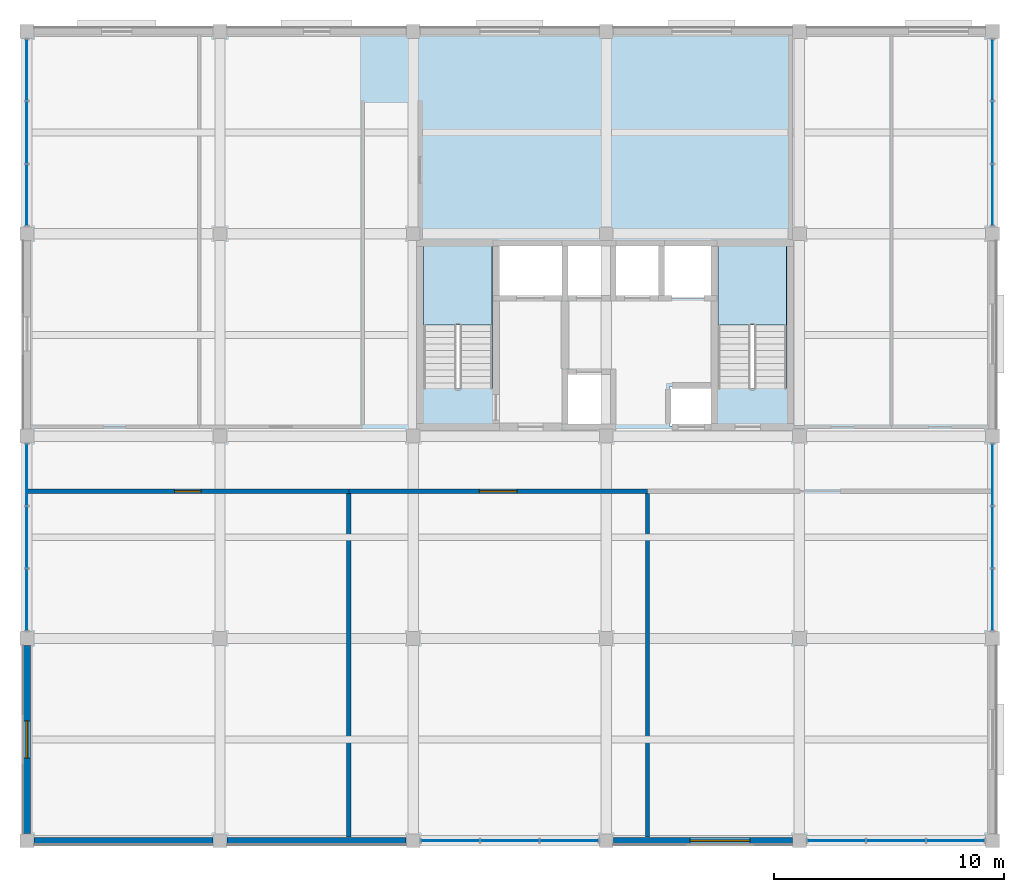
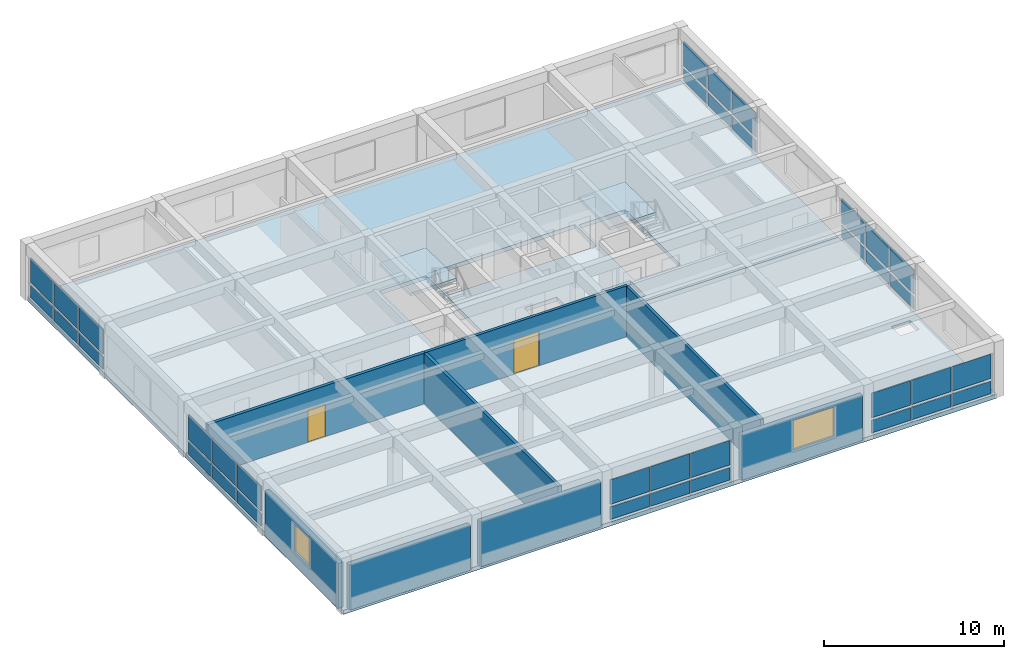
# One storey, part 7 of 14: 36 plates, 8 walls, 4 slabs, 2 doors, 2 windows, 4 openings, 8 elements without a shape of their own.
"""IFC4 building model written with IfcOpenShell, lengths in metres."""

from ifc_helpers import new_model, si_unit, direction, frame, frame_2d, origin, origin_2d, place, context, subcontext, project, spatial, polyline, rectangle, outline, extrude, material, layer, layer_set, type_object, element, fill, aggregate, save


model = new_model("IFC4")

# Units and contexts
model_context = context("Model", 3, precision=1e-05, world=origin(), true_north=direction((0.0, 1.0)))
body_context = subcontext(model_context, "Body", "Model", "MODEL_VIEW")
ifc_project = project(units=[si_unit("LENGTHUNIT", "METRE"), si_unit("AREAUNIT", "SQUARE_METRE"), si_unit("VOLUMEUNIT", "CUBIC_METRE"), si_unit("PLANEANGLEUNIT", "RADIAN"), si_unit("MASSUNIT", "GRAM", prefix="KILO")], contexts=[model_context])

# Site, building, storey
site_placement = place(None, origin())
site = spatial("IfcSite", under=ifc_project, at=site_placement, CompositionType="ELEMENT")
building_placement = place(site_placement, origin())
building = spatial("IfcBuilding", under=site, at=building_placement, Name="Kemercrest Conservatory and Botanical Centre", CompositionType="ELEMENT")
storey_placement = place(building_placement, frame((0.0, 0.0, 44.39990234375)))
storey = spatial("IfcBuildingStorey", under=building, at=storey_placement, Name="L11", CompositionType="ELEMENT", Elevation=44.39990234375)

# Curtain wall, plates
ifc_material_1 = material(Name="Thermally broken aluminium and triple low-e glazing", Category="aluminium")
curtain_wall_type_1 = type_object("IfcCurtainWallType", Name="CW-03", PredefinedType="USERDEFINED", material=ifc_material_1)
curtain_wall_1_placement = place(storey_placement, origin())
curtain_wall_1 = element("IfcCurtainWall", 1, at=curtain_wall_1_placement, inside=storey, type_object=curtain_wall_type_1, Name="Unitised curtain wall CW-03 (CW:L11:V4-122)", ObjectType="UNITISED CURTAIN WALL", PredefinedType="USERDEFINED")
ifc_material_2 = material(Name="Triple low-e argon insulated glazing unit", Category="glass")
ifc_layer_1 = layer(ifc_material_2, 0.035888671875)
ifc_layer_set_1 = layer_set([ifc_layer_1], Name="Triple low-e argon insulated glazing unit")
plate_type = type_object("IfcPlateType", Name="CW-PNL036", PredefinedType="CURTAIN_PANEL", material=ifc_layer_set_1)
plate_1_placement = place(storey_placement, frame((152.412841796875, 87.199951171875, 0.179931640625), z_axis=(0.0, 0.0, 1.0), x_axis=(1.0, 0.0, 0.0)))
plate_1 = element("IfcPlate", 2, at=plate_1_placement, type_object=plate_type, Name="CW-03 panel 1.1", PredefinedType="CURTAIN_PANEL", context=body_context, shape_type="SweptSolid", body=[
    extrude(rectangle(XDim=2.505859375, YDim=0.035888671875, at=origin_2d()), origin(), (0.0, 0.0, 1.0), 0.85009765625),
])
plate_2_placement = place(storey_placement, frame((152.412841796875, 87.199951171875, 1.2099609375), z_axis=(0.0, 0.0, 1.0), x_axis=(1.0, 0.0, 0.0)))
plate_2 = element("IfcPlate", 3, at=plate_2_placement, type_object=plate_type, Name="CW-03 panel 1.2", PredefinedType="CURTAIN_PANEL", context=body_context, shape_type="SweptSolid", body=[
    extrude(rectangle(XDim=2.505859375, YDim=0.035888671875, at=origin_2d()), origin(), (0.0, 0.0, 1.0), 1.6650390625),
])
plate_3_placement = place(storey_placement, frame((155.0, 87.199951171875, 0.179931640625), z_axis=(0.0, 0.0, 1.0), x_axis=(1.0, 0.0, 0.0)))
plate_3 = element("IfcPlate", 4, at=plate_3_placement, type_object=plate_type, Name="CW-03 panel 2.1", PredefinedType="CURTAIN_PANEL", context=body_context, shape_type="SweptSolid", body=[
    extrude(rectangle(XDim=2.538330078125, YDim=0.035888671875, at=origin_2d()), origin(), (0.0, 0.0, 1.0), 0.85009765625),
])
plate_4_placement = place(storey_placement, frame((155.0, 87.199951171875, 1.2099609375), z_axis=(0.0, 0.0, 1.0), x_axis=(1.0, 0.0, 0.0)))
plate_4 = element("IfcPlate", 5, at=plate_4_placement, type_object=plate_type, Name="CW-03 panel 2.2", PredefinedType="CURTAIN_PANEL", context=body_context, shape_type="SweptSolid", body=[
    extrude(rectangle(XDim=2.538330078125, YDim=0.035888671875, at=origin_2d()), origin(), (0.0, 0.0, 1.0), 1.6650390625),
])
plate_5_placement = place(storey_placement, frame((157.587158203125, 87.199951171875, 0.179931640625), z_axis=(0.0, 0.0, 1.0), x_axis=(1.0, 0.0, 0.0)))
plate_5 = element("IfcPlate", 6, at=plate_5_placement, type_object=plate_type, Name="CW-03 panel 3.1", PredefinedType="CURTAIN_PANEL", context=body_context, shape_type="SweptSolid", body=[
    extrude(rectangle(XDim=2.505859375, YDim=0.035888671875, at=origin_2d()), origin(), (0.0, 0.0, 1.0), 0.85009765625),
])
plate_6_placement = place(storey_placement, frame((157.587158203125, 87.199951171875, 1.2099609375), z_axis=(0.0, 0.0, 1.0), x_axis=(1.0, 0.0, 0.0)))
plate_6 = element("IfcPlate", 7, at=plate_6_placement, type_object=plate_type, Name="CW-03 panel 3.2", PredefinedType="CURTAIN_PANEL", context=body_context, shape_type="SweptSolid", body=[
    extrude(rectangle(XDim=2.505859375, YDim=0.035888671875, at=origin_2d()), origin(), (0.0, 0.0, 1.0), 1.6650390625),
])
aggregate(curtain_wall_1, [plate_1, plate_2, plate_3, plate_4, plate_5, plate_6])

curtain_wall_type_2 = type_object("IfcCurtainWallType", Name="CW-04", PredefinedType="USERDEFINED", material=ifc_material_1)
curtain_wall_2_placement = place(storey_placement, origin())
curtain_wall_2 = element("IfcCurtainWall", 8, at=curtain_wall_2_placement, inside=storey, type_object=curtain_wall_type_2, Name="Unitised curtain wall CW-04 (CW:L11:V4-123)", ObjectType="UNITISED CURTAIN WALL", PredefinedType="USERDEFINED")
plate_7_placement = place(storey_placement, frame((169.212890625, 87.199951171875, 0.179931640625), z_axis=(0.0, 0.0, 1.0), x_axis=(1.0, 0.0, 0.0)))
plate_7 = element("IfcPlate", 9, at=plate_7_placement, type_object=plate_type, Name="CW-04 panel 1.1", PredefinedType="CURTAIN_PANEL", context=body_context, shape_type="SweptSolid", body=[
    extrude(rectangle(XDim=2.505859375, YDim=0.035888671875, at=origin_2d()), origin(), (0.0, 0.0, 1.0), 0.85009765625),
])
plate_8_placement = place(storey_placement, frame((169.212890625, 87.199951171875, 1.2099609375), z_axis=(0.0, 0.0, 1.0), x_axis=(1.0, 0.0, 0.0)))
plate_8 = element("IfcPlate", 10, at=plate_8_placement, type_object=plate_type, Name="CW-04 panel 1.2", PredefinedType="CURTAIN_PANEL", context=body_context, shape_type="SweptSolid", body=[
    extrude(rectangle(XDim=2.505859375, YDim=0.035888671875, at=origin_2d()), origin(), (0.0, 0.0, 1.0), 1.6650390625),
])
plate_9_placement = place(storey_placement, frame((171.800048828125, 87.199951171875, 0.179931640625), z_axis=(0.0, 0.0, 1.0), x_axis=(1.0, 0.0, 0.0)))
plate_9 = element("IfcPlate", 11, at=plate_9_placement, type_object=plate_type, Name="CW-04 panel 2.1", PredefinedType="CURTAIN_PANEL", context=body_context, shape_type="SweptSolid", body=[
    extrude(rectangle(XDim=2.538330078125, YDim=0.035888671875, at=origin_2d()), origin(), (0.0, 0.0, 1.0), 0.85009765625),
])
plate_10_placement = place(storey_placement, frame((171.800048828125, 87.199951171875, 1.2099609375), z_axis=(0.0, 0.0, 1.0), x_axis=(1.0, 0.0, 0.0)))
plate_10 = element("IfcPlate", 12, at=plate_10_placement, type_object=plate_type, Name="CW-04 panel 2.2", PredefinedType="CURTAIN_PANEL", context=body_context, shape_type="SweptSolid", body=[
    extrude(rectangle(XDim=2.538330078125, YDim=0.035888671875, at=origin_2d()), origin(), (0.0, 0.0, 1.0), 1.6650390625),
])
plate_11_placement = place(storey_placement, frame((174.386962890625, 87.199951171875, 0.179931640625), z_axis=(0.0, 0.0, 1.0), x_axis=(1.0, 0.0, 0.0)))
plate_11 = element("IfcPlate", 13, at=plate_11_placement, type_object=plate_type, Name="CW-04 panel 3.1", PredefinedType="CURTAIN_PANEL", context=body_context, shape_type="SweptSolid", body=[
    extrude(rectangle(XDim=2.505859375, YDim=0.035888671875, at=origin_2d()), origin(), (0.0, 0.0, 1.0), 0.85009765625),
])
plate_12_placement = place(storey_placement, frame((174.386962890625, 87.199951171875, 1.2099609375), z_axis=(0.0, 0.0, 1.0), x_axis=(1.0, 0.0, 0.0)))
plate_12 = element("IfcPlate", 14, at=plate_12_placement, type_object=plate_type, Name="CW-04 panel 3.2", PredefinedType="CURTAIN_PANEL", context=body_context, shape_type="SweptSolid", body=[
    extrude(rectangle(XDim=2.505859375, YDim=0.035888671875, at=origin_2d()), origin(), (0.0, 0.0, 1.0), 1.6650390625),
])
aggregate(curtain_wall_2, [plate_7, plate_8, plate_9, plate_10, plate_11, plate_12])

curtain_wall_type_3 = type_object("IfcCurtainWallType", Name="CW-05", PredefinedType="USERDEFINED", material=ifc_material_1)
curtain_wall_3_placement = place(storey_placement, origin())
curtain_wall_3 = element("IfcCurtainWall", 15, at=curtain_wall_3_placement, inside=storey, type_object=curtain_wall_type_3, Name="Unitised curtain wall CW-05 (CW:L11:V4-124)", ObjectType="UNITISED CURTAIN WALL", PredefinedType="USERDEFINED")
plate_13_placement = place(storey_placement, frame((176.0, 97.6796875, 0.179931640625), z_axis=(0.0, 0.0, 1.0), x_axis=(0.0, 1.0, 0.0)))
plate_13 = element("IfcPlate", 16, at=plate_13_placement, type_object=plate_type, Name="CW-05 panel 1.1", PredefinedType="CURTAIN_PANEL", context=body_context, shape_type="SweptSolid", body=[
    extrude(rectangle(XDim=2.63916015625, YDim=0.035888671875, at=origin_2d()), origin(), (0.0, 0.0, 1.0), 0.85009765625),
])
plate_14_placement = place(storey_placement, frame((176.0, 97.6796875, 1.2099609375), z_axis=(0.0, 0.0, 1.0), x_axis=(0.0, 1.0, 0.0)))
plate_14 = element("IfcPlate", 17, at=plate_14_placement, type_object=plate_type, Name="CW-05 panel 1.2", PredefinedType="CURTAIN_PANEL", context=body_context, shape_type="SweptSolid", body=[
    extrude(rectangle(XDim=2.63916015625, YDim=0.035888671875, at=origin_2d()), origin(), (0.0, 0.0, 1.0), 1.6650390625),
])
plate_15_placement = place(storey_placement, frame((176.0, 100.39990234375, 0.179931640625), z_axis=(0.0, 0.0, 1.0), x_axis=(0.0, 1.0, 0.0)))
plate_15 = element("IfcPlate", 18, at=plate_15_placement, type_object=plate_type, Name="CW-05 panel 2.1", PredefinedType="CURTAIN_PANEL", context=body_context, shape_type="SweptSolid", body=[
    extrude(rectangle(XDim=2.671630859375, YDim=0.035888671875, at=origin_2d()), origin(), (0.0, 0.0, 1.0), 0.85009765625),
])
plate_16_placement = place(storey_placement, frame((176.0, 100.39990234375, 1.2099609375), z_axis=(0.0, 0.0, 1.0), x_axis=(0.0, 1.0, 0.0)))
plate_16 = element("IfcPlate", 19, at=plate_16_placement, type_object=plate_type, Name="CW-05 panel 2.2", PredefinedType="CURTAIN_PANEL", context=body_context, shape_type="SweptSolid", body=[
    extrude(rectangle(XDim=2.671630859375, YDim=0.035888671875, at=origin_2d()), origin(), (0.0, 0.0, 1.0), 1.6650390625),
])
plate_17_placement = place(storey_placement, frame((176.0, 103.120361328125, 0.179931640625), z_axis=(0.0, 0.0, 1.0), x_axis=(0.0, 1.0, 0.0)))
plate_17 = element("IfcPlate", 20, at=plate_17_placement, type_object=plate_type, Name="CW-05 panel 3.1", PredefinedType="CURTAIN_PANEL", context=body_context, shape_type="SweptSolid", body=[
    extrude(rectangle(XDim=2.63916015625, YDim=0.035888671875, at=origin_2d()), origin(), (0.0, 0.0, 1.0), 0.85009765625),
])
plate_18_placement = place(storey_placement, frame((176.0, 103.120361328125, 1.2099609375), z_axis=(0.0, 0.0, 1.0), x_axis=(0.0, 1.0, 0.0)))
plate_18 = element("IfcPlate", 21, at=plate_18_placement, type_object=plate_type, Name="CW-05 panel 3.2", PredefinedType="CURTAIN_PANEL", context=body_context, shape_type="SweptSolid", body=[
    extrude(rectangle(XDim=2.63916015625, YDim=0.035888671875, at=origin_2d()), origin(), (0.0, 0.0, 1.0), 1.6650390625),
])
aggregate(curtain_wall_3, [plate_13, plate_14, plate_15, plate_16, plate_17, plate_18])

curtain_wall_type_4 = type_object("IfcCurtainWallType", Name="CW-06", PredefinedType="USERDEFINED", material=ifc_material_1)
curtain_wall_4_placement = place(storey_placement, origin())
curtain_wall_4 = element("IfcCurtainWall", 22, at=curtain_wall_4_placement, inside=storey, type_object=curtain_wall_type_4, Name="Unitised curtain wall CW-06 (CW:L11:V4-125)", ObjectType="UNITISED CURTAIN WALL", PredefinedType="USERDEFINED")
plate_19_placement = place(storey_placement, frame((176.0, 115.279541015625, 0.179931640625), z_axis=(0.0, 0.0, 1.0), x_axis=(0.0, 1.0, 0.0)))
plate_19 = element("IfcPlate", 23, at=plate_19_placement, type_object=plate_type, Name="CW-06 panel 1.1", PredefinedType="CURTAIN_PANEL", context=body_context, shape_type="SweptSolid", body=[
    extrude(rectangle(XDim=2.63916015625, YDim=0.035888671875, at=origin_2d()), origin(), (0.0, 0.0, 1.0), 0.85009765625),
])
plate_20_placement = place(storey_placement, frame((176.0, 115.279541015625, 1.2099609375), z_axis=(0.0, 0.0, 1.0), x_axis=(0.0, 1.0, 0.0)))
plate_20 = element("IfcPlate", 24, at=plate_20_placement, type_object=plate_type, Name="CW-06 panel 1.2", PredefinedType="CURTAIN_PANEL", context=body_context, shape_type="SweptSolid", body=[
    extrude(rectangle(XDim=2.63916015625, YDim=0.035888671875, at=origin_2d()), origin(), (0.0, 0.0, 1.0), 1.6650390625),
])
plate_21_placement = place(storey_placement, frame((176.0, 118.0, 0.179931640625), z_axis=(0.0, 0.0, 1.0), x_axis=(0.0, 1.0, 0.0)))
plate_21 = element("IfcPlate", 25, at=plate_21_placement, type_object=plate_type, Name="CW-06 panel 2.1", PredefinedType="CURTAIN_PANEL", context=body_context, shape_type="SweptSolid", body=[
    extrude(rectangle(XDim=2.671630859375, YDim=0.035888671875, at=origin_2d()), origin(), (0.0, 0.0, 1.0), 0.85009765625),
])
plate_22_placement = place(storey_placement, frame((176.0, 118.0, 1.2099609375), z_axis=(0.0, 0.0, 1.0), x_axis=(0.0, 1.0, 0.0)))
plate_22 = element("IfcPlate", 26, at=plate_22_placement, type_object=plate_type, Name="CW-06 panel 2.2", PredefinedType="CURTAIN_PANEL", context=body_context, shape_type="SweptSolid", body=[
    extrude(rectangle(XDim=2.671630859375, YDim=0.035888671875, at=origin_2d()), origin(), (0.0, 0.0, 1.0), 1.6650390625),
])
plate_23_placement = place(storey_placement, frame((176.0, 120.720458984375, 0.179931640625), z_axis=(0.0, 0.0, 1.0), x_axis=(0.0, 1.0, 0.0)))
plate_23 = element("IfcPlate", 27, at=plate_23_placement, type_object=plate_type, Name="CW-06 panel 3.1", PredefinedType="CURTAIN_PANEL", context=body_context, shape_type="SweptSolid", body=[
    extrude(rectangle(XDim=2.63916015625, YDim=0.035888671875, at=origin_2d()), origin(), (0.0, 0.0, 1.0), 0.85009765625),
])
plate_24_placement = place(storey_placement, frame((176.0, 120.720458984375, 1.2099609375), z_axis=(0.0, 0.0, 1.0), x_axis=(0.0, 1.0, 0.0)))
plate_24 = element("IfcPlate", 28, at=plate_24_placement, type_object=plate_type, Name="CW-06 panel 3.2", PredefinedType="CURTAIN_PANEL", context=body_context, shape_type="SweptSolid", body=[
    extrude(rectangle(XDim=2.63916015625, YDim=0.035888671875, at=origin_2d()), origin(), (0.0, 0.0, 1.0), 1.6650390625),
])
aggregate(curtain_wall_4, [plate_19, plate_20, plate_21, plate_22, plate_23, plate_24])

curtain_wall_type_5 = type_object("IfcCurtainWallType", Name="CW-07", PredefinedType="USERDEFINED", material=ifc_material_1)
curtain_wall_5_placement = place(storey_placement, origin())
curtain_wall_5 = element("IfcCurtainWall", 29, at=curtain_wall_5_placement, inside=storey, type_object=curtain_wall_type_5, Name="Unitised curtain wall CW-07 (CW:L11:V4-126)", ObjectType="UNITISED CURTAIN WALL", PredefinedType="USERDEFINED")
plate_25_placement = place(storey_placement, frame((134.0, 120.720458984375, 0.179931640625), z_axis=(0.0, 0.0, 1.0), x_axis=(0.0, -1.0, 0.0)))
plate_25 = element("IfcPlate", 30, at=plate_25_placement, type_object=plate_type, Name="CW-07 panel 1.1", PredefinedType="CURTAIN_PANEL", context=body_context, shape_type="SweptSolid", body=[
    extrude(rectangle(XDim=2.63916015625, YDim=0.035888671875, at=origin_2d()), origin(), (0.0, 0.0, 1.0), 0.85009765625),
])
plate_26_placement = place(storey_placement, frame((134.0, 120.720458984375, 1.2099609375), z_axis=(0.0, 0.0, 1.0), x_axis=(0.0, -1.0, 0.0)))
plate_26 = element("IfcPlate", 31, at=plate_26_placement, type_object=plate_type, Name="CW-07 panel 1.2", PredefinedType="CURTAIN_PANEL", context=body_context, shape_type="SweptSolid", body=[
    extrude(rectangle(XDim=2.63916015625, YDim=0.035888671875, at=origin_2d()), origin(), (0.0, 0.0, 1.0), 1.6650390625),
])
plate_27_placement = place(storey_placement, frame((134.0, 118.0, 0.179931640625), z_axis=(0.0, 0.0, 1.0), x_axis=(0.0, -1.0, 0.0)))
plate_27 = element("IfcPlate", 32, at=plate_27_placement, type_object=plate_type, Name="CW-07 panel 2.1", PredefinedType="CURTAIN_PANEL", context=body_context, shape_type="SweptSolid", body=[
    extrude(rectangle(XDim=2.671630859375, YDim=0.035888671875, at=origin_2d()), origin(), (0.0, 0.0, 1.0), 0.85009765625),
])
plate_28_placement = place(storey_placement, frame((134.0, 118.0, 1.2099609375), z_axis=(0.0, 0.0, 1.0), x_axis=(0.0, -1.0, 0.0)))
plate_28 = element("IfcPlate", 33, at=plate_28_placement, type_object=plate_type, Name="CW-07 panel 2.2", PredefinedType="CURTAIN_PANEL", context=body_context, shape_type="SweptSolid", body=[
    extrude(rectangle(XDim=2.671630859375, YDim=0.035888671875, at=origin_2d()), origin(), (0.0, 0.0, 1.0), 1.6650390625),
])
plate_29_placement = place(storey_placement, frame((134.0, 115.279541015625, 0.179931640625), z_axis=(0.0, 0.0, 1.0), x_axis=(0.0, -1.0, 0.0)))
plate_29 = element("IfcPlate", 34, at=plate_29_placement, type_object=plate_type, Name="CW-07 panel 3.1", PredefinedType="CURTAIN_PANEL", context=body_context, shape_type="SweptSolid", body=[
    extrude(rectangle(XDim=2.63916015625, YDim=0.035888671875, at=origin_2d()), origin(), (0.0, 0.0, 1.0), 0.85009765625),
])
plate_30_placement = place(storey_placement, frame((134.0, 115.279541015625, 1.2099609375), z_axis=(0.0, 0.0, 1.0), x_axis=(0.0, -1.0, 0.0)))
plate_30 = element("IfcPlate", 35, at=plate_30_placement, type_object=plate_type, Name="CW-07 panel 3.2", PredefinedType="CURTAIN_PANEL", context=body_context, shape_type="SweptSolid", body=[
    extrude(rectangle(XDim=2.63916015625, YDim=0.035888671875, at=origin_2d()), origin(), (0.0, 0.0, 1.0), 1.6650390625),
])
aggregate(curtain_wall_5, [plate_25, plate_26, plate_27, plate_28, plate_29, plate_30])

curtain_wall_type_6 = type_object("IfcCurtainWallType", Name="CW-08", PredefinedType="USERDEFINED", material=ifc_material_1)
curtain_wall_6_placement = place(storey_placement, origin())
curtain_wall_6 = element("IfcCurtainWall", 36, at=curtain_wall_6_placement, inside=storey, type_object=curtain_wall_type_6, Name="Unitised curtain wall CW-08 (CW:L11:V4-127)", ObjectType="UNITISED CURTAIN WALL", PredefinedType="USERDEFINED")
plate_31_placement = place(storey_placement, frame((134.0, 103.120361328125, 0.179931640625), z_axis=(0.0, 0.0, 1.0), x_axis=(0.0, -1.0, 0.0)))
plate_31 = element("IfcPlate", 37, at=plate_31_placement, type_object=plate_type, Name="CW-08 panel 1.1", PredefinedType="CURTAIN_PANEL", context=body_context, shape_type="SweptSolid", body=[
    extrude(rectangle(XDim=2.63916015625, YDim=0.035888671875, at=origin_2d()), origin(), (0.0, 0.0, 1.0), 0.85009765625),
])
plate_32_placement = place(storey_placement, frame((134.0, 103.120361328125, 1.2099609375), z_axis=(0.0, 0.0, 1.0), x_axis=(0.0, -1.0, 0.0)))
plate_32 = element("IfcPlate", 38, at=plate_32_placement, type_object=plate_type, Name="CW-08 panel 1.2", PredefinedType="CURTAIN_PANEL", context=body_context, shape_type="SweptSolid", body=[
    extrude(rectangle(XDim=2.63916015625, YDim=0.035888671875, at=origin_2d()), origin(), (0.0, 0.0, 1.0), 1.6650390625),
])
plate_33_placement = place(storey_placement, frame((134.0, 100.39990234375, 0.179931640625), z_axis=(0.0, 0.0, 1.0), x_axis=(0.0, -1.0, 0.0)))
plate_33 = element("IfcPlate", 39, at=plate_33_placement, type_object=plate_type, Name="CW-08 panel 2.1", PredefinedType="CURTAIN_PANEL", context=body_context, shape_type="SweptSolid", body=[
    extrude(rectangle(XDim=2.671630859375, YDim=0.035888671875, at=origin_2d()), origin(), (0.0, 0.0, 1.0), 0.85009765625),
])
plate_34_placement = place(storey_placement, frame((134.0, 100.39990234375, 1.2099609375), z_axis=(0.0, 0.0, 1.0), x_axis=(0.0, -1.0, 0.0)))
plate_34 = element("IfcPlate", 40, at=plate_34_placement, type_object=plate_type, Name="CW-08 panel 2.2", PredefinedType="CURTAIN_PANEL", context=body_context, shape_type="SweptSolid", body=[
    extrude(rectangle(XDim=2.671630859375, YDim=0.035888671875, at=origin_2d()), origin(), (0.0, 0.0, 1.0), 1.6650390625),
])
plate_35_placement = place(storey_placement, frame((134.0, 97.6796875, 0.179931640625), z_axis=(0.0, 0.0, 1.0), x_axis=(0.0, -1.0, 0.0)))
plate_35 = element("IfcPlate", 41, at=plate_35_placement, type_object=plate_type, Name="CW-08 panel 3.1", PredefinedType="CURTAIN_PANEL", context=body_context, shape_type="SweptSolid", body=[
    extrude(rectangle(XDim=2.63916015625, YDim=0.035888671875, at=origin_2d()), origin(), (0.0, 0.0, 1.0), 0.85009765625),
])
plate_36_placement = place(storey_placement, frame((134.0, 97.6796875, 1.2099609375), z_axis=(0.0, 0.0, 1.0), x_axis=(0.0, -1.0, 0.0)))
plate_36 = element("IfcPlate", 42, at=plate_36_placement, type_object=plate_type, Name="CW-08 panel 3.2", PredefinedType="CURTAIN_PANEL", context=body_context, shape_type="SweptSolid", body=[
    extrude(rectangle(XDim=2.63916015625, YDim=0.035888671875, at=origin_2d()), origin(), (0.0, 0.0, 1.0), 1.6650390625),
])
aggregate(curtain_wall_6, [plate_31, plate_32, plate_33, plate_34, plate_35, plate_36])

# Slabs
ifc_material_3 = material(Name="Concrete C40/50", Category="concrete")
ifc_layer_2 = layer(ifc_material_3, 0.280029296875)
ifc_layer_set_2 = layer_set([ifc_layer_2], Name="Concrete C40/50")
slab_type_1 = type_object("IfcSlabType", Name="SL-FL280", PredefinedType="FLOOR", material=ifc_layer_set_2)
slab_1_placement = place(storey_placement, frame((0.0, 0.0, -0.27978515625)))
element("IfcSlab", 43, at=slab_1_placement, inside=storey, type_object=slab_type_1, Name="V4 Tower L11 North Core and Studio Slab", PredefinedType="FLOOR", context=body_context, shape_type="SweptSolid", body=[
    extrude(outline(polyline([(134.0, 122.39990234375), (134.0, 104.800048828125), (176.0, 104.800048828125), (176.0, 122.39990234375), (134.0, 122.39990234375)]), holes=[polyline([(164.06005859375, 106.864990234375), (164.06005859375, 113.06005859375), (167.0400390625, 113.06005859375), (167.0400390625, 106.864990234375), (164.06005859375, 106.864990234375)]), polyline([(154.39990234375, 110.800048828125), (154.39990234375, 113.199951171875), (163.89990234375, 113.199951171875), (163.89990234375, 110.800048828125), (154.39990234375, 110.800048828125)]), polyline([(161.949951171875, 105.25), (161.949951171875, 106.949951171875), (163.85009765625, 106.949951171875), (163.85009765625, 105.25), (161.949951171875, 105.25)]), polyline([(157.39990234375, 105.199951171875), (157.39990234375, 107.60009765625), (159.5, 107.60009765625), (159.5, 105.199951171875), (157.39990234375, 105.199951171875)]), polyline([(154.239990234375, 106.864990234375), (151.260009765625, 106.864990234375), (151.260009765625, 113.06005859375), (154.239990234375, 113.06005859375), (154.239990234375, 106.864990234375)])]), origin(), (0.0, 0.0, 1.0), 0.27978515625),
])
slab_2_placement = place(storey_placement, frame((0.0, 0.0, -0.27978515625)))
element("IfcSlab", 44, at=slab_2_placement, inside=storey, type_object=slab_type_1, Name="V4 Tower L11 South Laboratory Slab", PredefinedType="FLOOR", context=body_context, shape_type="SweptSolid", body=[
    extrude(outline(polyline([(134.0, 104.800048828125), (134.0, 87.199951171875), (176.0, 87.199951171875), (176.0, 104.800048828125), (134.0, 104.800048828125)]), holes=[polyline([(175.39990234375, 94.800048828125), (174.199951171875, 94.800048828125), (174.199951171875, 95.800048828125), (175.39990234375, 95.800048828125), (175.39990234375, 94.800048828125)])]), origin(), (0.0, 0.0, 1.0), 0.27978515625),
])

# Stair, slab
stair_type = type_object("IfcStairType", Name="ST-142-38", PredefinedType="HALF_TURN_STAIR", material=ifc_material_3)
stair_1_placement = place(storey_placement, origin())
stair_1 = element("IfcStair", 45, at=stair_1_placement, inside=storey, type_object=stair_type, Name="L11 Exit stair ST-V4A", PredefinedType="HALF_TURN_STAIR")
ifc_layer_3 = layer(ifc_material_3, 0.199951171875)
ifc_layer_set_3 = layer_set([ifc_layer_3], Name="Concrete C40/50")
slab_type_2 = type_object("IfcSlabType", Name="SL-LND200", PredefinedType="LANDING", material=ifc_layer_set_3)
slab_3_placement = place(storey_placement, frame((0.0, 0.0, 1.7001953125)))
slab_3 = element("IfcSlab", 46, at=slab_3_placement, type_object=slab_type_2, Name="ST-V4A landing 1", PredefinedType="LANDING", context=body_context, shape_type="SweptSolid", body=[
    extrude(outline(polyline([(154.239990234375, 109.639892578125), (154.239990234375, 113.06005859375), (151.260009765625, 113.06005859375), (151.260009765625, 109.639892578125), (154.239990234375, 109.639892578125)])), origin(), (0.0, 0.0, 1.0), 0.199951171875),
])
aggregate(stair_1, [slab_3])

stair_2_placement = place(storey_placement, origin())
stair_2 = element("IfcStair", 47, at=stair_2_placement, inside=storey, type_object=stair_type, Name="L11 Exit stair ST-V4B", PredefinedType="HALF_TURN_STAIR")
slab_4_placement = place(storey_placement, frame((0.0, 0.0, 1.7001953125)))
slab_4 = element("IfcSlab", 48, at=slab_4_placement, type_object=slab_type_2, Name="ST-V4B landing 1", PredefinedType="LANDING", context=body_context, shape_type="SweptSolid", body=[
    extrude(outline(polyline([(167.0400390625, 109.639892578125), (167.0400390625, 113.06005859375), (164.06005859375, 113.06005859375), (164.06005859375, 109.639892578125), (167.0400390625, 109.639892578125)])), origin(), (0.0, 0.0, 1.0), 0.199951171875),
])
aggregate(stair_2, [slab_4])

# Walls
ifc_material_4 = material(Name="Precast concrete C40/50", Category="concrete")
ifc_layer_4 = layer(ifc_material_4, 0.300048828125)
ifc_layer_set_4 = layer_set([ifc_layer_4], Name="Precast concrete C40/50")
wall_type_1 = type_object("IfcWallType", Name="W-EXT300", PredefinedType="SOLIDWALL", material=ifc_layer_set_4)
for number, where, z_axis, x_axis, name in (
    (49, (134.31005859375, 87.199951171875, 0.0), (0.0, 0.0, 1.0), (1.0, 0.0, 0.0), "Exterior almasik wall W-EXT300 (WAL:L11:EXT-300)"),
    (50, (142.7099609375, 87.199951171875, 0.0), (0.0, 0.0, 1.0), (1.0, 0.0, 0.0), "Exterior almasik wall W-EXT300 (WAL:L11:EXT-301)"),
):
    element("IfcWall", number, at=place(storey_placement, frame(where, z_axis=z_axis, x_axis=x_axis)), inside=storey, type_object=wall_type_1, Name=name, PredefinedType="SOLIDWALL", context=body_context, shape_type="SweptSolid", body=[
        extrude(rectangle(XDim=7.780029296875, YDim=0.300048828125, at=frame_2d((3.89013671875, 0.0))), origin(), (0.0, 0.0, 1.0), 3.050048828125),
    ])

# Wall, opening, window
wall_1_placement = place(storey_placement, frame((159.510009765625, 87.199951171875, 0.0), z_axis=(0.0, 0.0, 1.0), x_axis=(1.0, 0.0, 0.0)))
wall_1 = element("IfcWall", 51, at=wall_1_placement, inside=storey, type_object=wall_type_1, Name="Exterior almasik wall W-EXT300 (WAL:L11:EXT-302)", PredefinedType="SOLIDWALL", context=body_context, shape_type="SweptSolid", body=[
    extrude(rectangle(XDim=7.780029296875, YDim=0.300048828125, at=frame_2d((3.89013671875, 0.0))), origin(), (0.0, 0.0, 1.0), 3.050048828125),
])
opening_1_placement = place(wall_1_placement, frame((3.3349609375, 0.0, 0.89990234375)))
opening_1 = element("IfcOpeningElement", 52, at=opening_1_placement, cuts=wall_1, Name="Opening WT-10", PredefinedType="OPENING", context=body_context, shape_type="SweptSolid", body=[
    extrude(rectangle(XDim=2.60009765625, YDim=2.0, at=frame_2d((1.300048828125, 1.0))), frame((0.0, 0.16015625, 0.0), z_axis=(0.0, -1.0, 0.0), x_axis=(1.0, 0.0, 0.0)), (0.0, 0.0, 1.0), 0.320068359375),
])
ifc_material_5 = material(Name="Thermally broken bronze-anodized aluminium and triple glazing", Category="aluminium")
window_type_1 = type_object("IfcWindowType", Name="WT-10", PartitioningType="SINGLE_PANEL", PredefinedType="WINDOW", material=ifc_material_5)
window_1_placement = place(opening_1_placement, origin())
window_1 = element("IfcWindow", 53, at=window_1_placement, inside=storey, type_object=window_type_1, Name="Exterior window WT-10 (WIN:L11:EXT-302)", OverallHeight=2.0, OverallWidth=2.60009765625, PartitioningType="SINGLE_PANEL", PredefinedType="WINDOW", context=body_context, shape_type="SweptSolid", body=[
    extrude(rectangle(XDim=2.60009765625, YDim=2.0, at=frame_2d((1.300048828125, 1.0))), frame((0.0, 0.030029296875, 0.0), z_axis=(0.0, -1.0, 0.0), x_axis=(1.0, 0.0, 0.0)), (0.0, 0.0, 1.0), 0.06005859375),
])
fill(opening_1, window_1)

wall_2_placement = place(storey_placement, frame((134.0, 95.68994140625, 0.0), z_axis=(0.0, 0.0, 1.0), x_axis=(0.0, -1.0, 0.0)))
wall_2 = element("IfcWall", 54, at=wall_2_placement, inside=storey, type_object=wall_type_1, Name="Exterior almasik wall W-EXT300 (WAL:L11:EXT-311)", PredefinedType="SOLIDWALL", context=body_context, shape_type="SweptSolid", body=[
    extrude(rectangle(XDim=8.179931640625, YDim=0.300048828125, at=frame_2d((4.08984375, 0.0))), origin(), (0.0, 0.0, 1.0), 3.050048828125),
])
opening_2_placement = place(wall_2_placement, frame((3.280029296875, 0.0, 0.89990234375)))
opening_2 = element("IfcOpeningElement", 55, at=opening_2_placement, cuts=wall_2, Name="Opening WT-48", PredefinedType="OPENING", context=body_context, shape_type="SweptSolid", body=[
    extrude(rectangle(XDim=1.6201171875, YDim=1.8798828125, at=frame_2d((0.81005859375, 0.93994140625))), frame((0.0, 0.16015625, 0.0), z_axis=(0.0, -1.0, 0.0), x_axis=(1.0, 0.0, 0.0)), (0.0, 0.0, 1.0), 0.320068359375),
])
window_type_2 = type_object("IfcWindowType", Name="WT-48", PartitioningType="SINGLE_PANEL", PredefinedType="WINDOW", material=ifc_material_5)
window_2_placement = place(opening_2_placement, origin())
window_2 = element("IfcWindow", 56, at=window_2_placement, inside=storey, type_object=window_type_2, Name="Exterior window WT-48 (WIN:L11:EXT-311)", OverallHeight=1.8798828125, OverallWidth=1.6201171875, PartitioningType="SINGLE_PANEL", PredefinedType="WINDOW", context=body_context, shape_type="SweptSolid", body=[
    extrude(rectangle(XDim=1.6201171875, YDim=1.8798828125, at=frame_2d((0.81005859375, 0.93994140625))), frame((0.0, 0.030029296875, 0.0), z_axis=(0.0, -1.0, 0.0), x_axis=(1.0, 0.0, 0.0)), (0.0, 0.0, 1.0), 0.06005859375),
])
fill(opening_2, window_2)

# Wall, opening, door
ifc_layer_5 = layer(ifc_material_3, 0.199951171875)
ifc_layer_set_5 = layer_set([ifc_layer_5], Name="Concrete C40/50")
wall_type_2 = type_object("IfcWallType", Name="W-FIRE", PredefinedType="PARTITIONING", material=ifc_layer_set_5)
wall_3_placement = place(storey_placement, frame((134.0, 102.39990234375, 0.0), z_axis=(0.0, 0.0, 1.0), x_axis=(1.0, 0.0, 0.0)))
wall_3 = element("IfcWall", 57, at=wall_3_placement, inside=storey, type_object=wall_type_2, Name="Interior partition W-FIRE #254", PredefinedType="PARTITIONING", context=body_context, shape_type="SweptSolid", body=[
    extrude(rectangle(XDim=14.0, YDim=0.199951171875, at=frame_2d((7.0, 0.0))), origin(), (0.0, 0.0, 1.0), 3.465087890625),
])
opening_3_placement = place(wall_3_placement, frame((6.425048828125, 0.0, 0.0)))
opening_3 = element("IfcOpeningElement", 58, at=opening_3_placement, cuts=wall_3, Name="Opening D249", PredefinedType="OPENING", context=body_context, shape_type="SweptSolid", body=[
    extrude(rectangle(XDim=1.14990234375, YDim=2.199951171875, at=frame_2d((0.574951171875, 1.10009765625))), frame((0.0, 0.10986328125, 0.0), z_axis=(0.0, -1.0, 0.0), x_axis=(1.0, 0.0, 0.0)), (0.0, 0.0, 1.0), 0.219970703125),
])
ifc_material_6 = material(Name="Powder-coated galvanized steel and fire-rated vision glass", Category="steel")
door_type_1 = type_object("IfcDoorType", Name="DT-FD60", OperationType="NOTDEFINED", PredefinedType="DOOR", material=ifc_material_6)
door_1_placement = place(opening_3_placement, origin())
door_1 = element("IfcDoor", 59, at=door_1_placement, inside=storey, type_object=door_type_1, Name="Germplasm Vault door D249", OperationType="SINGLE_SWING_LEFT", OverallHeight=2.199951171875, OverallWidth=1.14990234375, PredefinedType="DOOR", context=body_context, shape_type="SweptSolid", body=[
    extrude(rectangle(XDim=1.14990234375, YDim=2.199951171875, at=frame_2d((0.574951171875, 1.10009765625))), frame((0.0, 0.02490234375, 0.0), z_axis=(0.0, -1.0, 0.0), x_axis=(1.0, 0.0, 0.0)), (0.0, 0.0, 1.0), 0.050048828125),
])
fill(opening_3, door_1)

# Wall
wall_4_placement = place(storey_placement, frame((148.0, 87.35498046875, 0.0), z_axis=(0.0, 0.0, 1.0), x_axis=(0.0, 1.0, 0.0)))
element("IfcWall", 60, at=wall_4_placement, inside=storey, type_object=wall_type_2, Name="Interior partition W-FIRE #263", PredefinedType="PARTITIONING", context=body_context, shape_type="SweptSolid", body=[
    extrude(rectangle(XDim=14.93994140625, YDim=0.199951171875, at=frame_2d((7.469970703125, 0.0))), origin(), (0.0, 0.0, 1.0), 3.465087890625),
])

# Wall, opening, door
ifc_material_7 = material(Name="Acoustic steel-stud gypsum board assembly", Category="steel")
ifc_layer_6 = layer(ifc_material_7, 0.179931640625)
ifc_layer_set_6 = layer_set([ifc_layer_6], Name="Acoustic steel-stud gypsum board assembly")
wall_type_3 = type_object("IfcWallType", Name="W-PART180", PredefinedType="PARTITIONING", material=ifc_layer_set_6)
wall_5_placement = place(storey_placement, frame((148.0, 102.39990234375, 0.0), z_axis=(0.0, 0.0, 1.0), x_axis=(1.0, 0.0, 0.0)))
wall_5 = element("IfcWall", 61, at=wall_5_placement, inside=storey, type_object=wall_type_3, Name="Interior partition W-PART180 #255", PredefinedType="PARTITIONING", context=body_context, shape_type="SweptSolid", body=[
    extrude(rectangle(XDim=13.0, YDim=0.179931640625, at=frame_2d((6.5, 0.0))), origin(), (0.0, 0.0, 1.0), 3.465087890625),
])
opening_4_placement = place(wall_5_placement, frame((5.679931640625, 0.0, 0.0)))
opening_4 = element("IfcOpeningElement", 62, at=opening_4_placement, cuts=wall_5, Name="Opening D250", PredefinedType="OPENING", context=body_context, shape_type="SweptSolid", body=[
    extrude(rectangle(XDim=1.639892578125, YDim=2.320068359375, at=frame_2d((0.81982421875, 1.16015625))), frame((0.0, 0.10009765625, 0.0), z_axis=(0.0, -1.0, 0.0), x_axis=(1.0, 0.0, 0.0)), (0.0, 0.0, 1.0), 0.199951171875),
])
ifc_material_8 = material(Name="FSC solid-core white oak veneer and anodized aluminium frame", Category="aluminium")
door_type_2 = type_object("IfcDoorType", Name="DT-31", OperationType="DOUBLE_DOOR_SINGLE_SWING", PredefinedType="DOOR", material=ifc_material_8)
door_2_placement = place(opening_4_placement, origin())
door_2 = element("IfcDoor", 63, at=door_2_placement, inside=storey, type_object=door_type_2, Name="Cryopreservation Laboratory door D250", OperationType="DOUBLE_DOOR_SINGLE_SWING", OverallHeight=2.320068359375, OverallWidth=1.639892578125, PredefinedType="DOOR", context=body_context, shape_type="SweptSolid", body=[
    extrude(rectangle(XDim=1.639892578125, YDim=2.320068359375, at=frame_2d((0.81982421875, 1.16015625))), frame((0.0, 0.02490234375, 0.0), z_axis=(0.0, -1.0, 0.0), x_axis=(1.0, 0.0, 0.0)), (0.0, 0.0, 1.0), 0.050048828125),
])
fill(opening_4, door_2)

# Wall
wall_6_placement = place(storey_placement, frame((161.0, 87.35498046875, 0.0), z_axis=(0.0, 0.0, 1.0), x_axis=(0.0, 1.0, 0.0)))
element("IfcWall", 64, at=wall_6_placement, inside=storey, type_object=wall_type_3, Name="Interior partition W-PART180 #264", PredefinedType="PARTITIONING", context=body_context, shape_type="SweptSolid", body=[
    extrude(rectangle(XDim=14.949951171875, YDim=0.179931640625, at=frame_2d((7.47509765625, 0.0))), origin(), (0.0, 0.0, 1.0), 3.465087890625),
])

save(model, "model.ifc")
